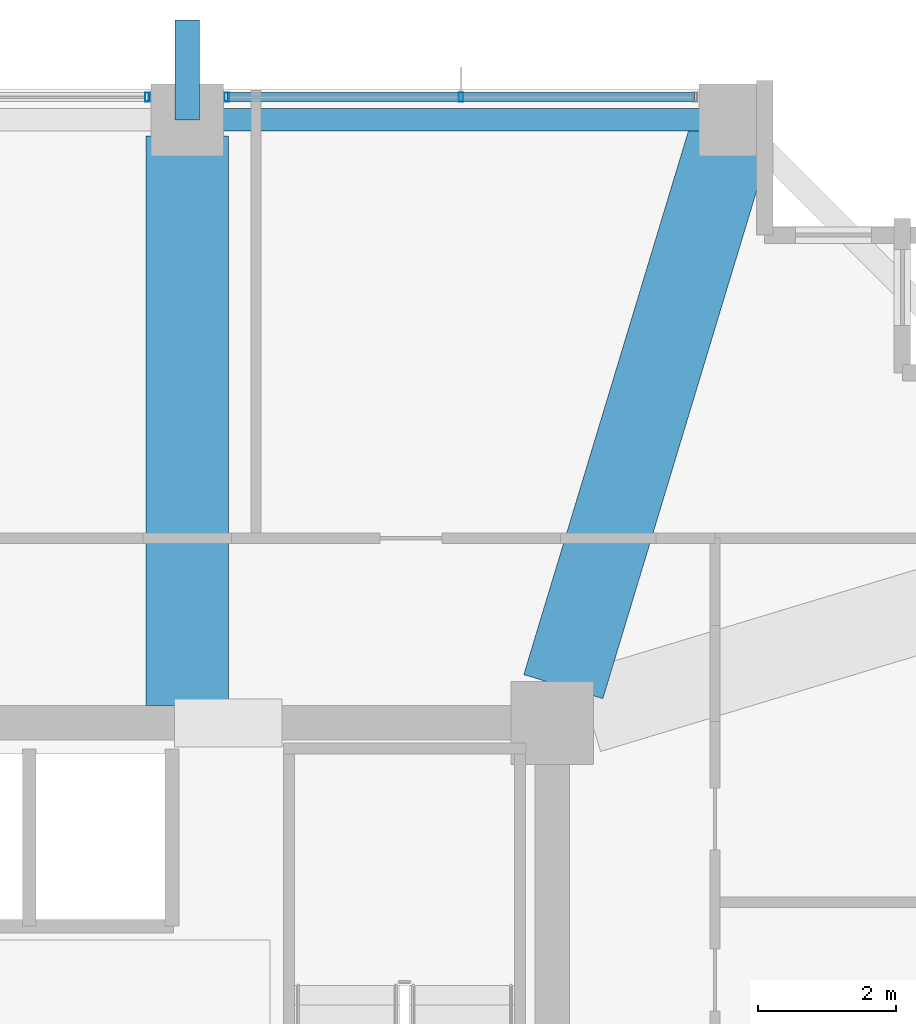
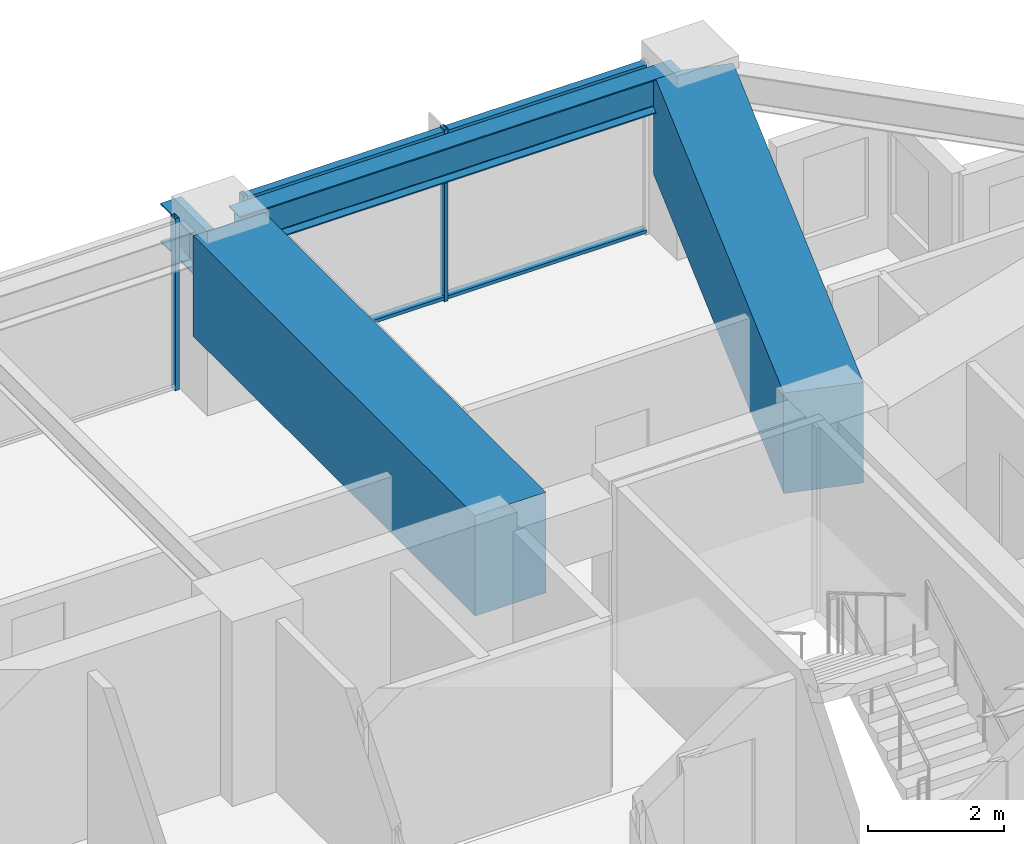
# One storey, part 23 of 36: 5 members, 4 beams, 2 elements without a shape of their own.
"""IFC4 building model written with IfcOpenShell, lengths in metres."""

from ifc_helpers import new_model, si_unit, direction, frame, origin, origin_2d, place, context, subcontext, project, spatial, rectangle, hollow_rectangle, i_section, extrude, material, material_profile, profile_set, type_object, element, aggregate, save


model = new_model("IFC4")

# Units and contexts
model_context = context("Model", 3, precision=1e-05, world=origin(), true_north=direction((0.0, 1.0)))
body_context = subcontext(model_context, "Body", "Model", "MODEL_VIEW")
ifc_project = project(units=[si_unit("LENGTHUNIT", "METRE"), si_unit("AREAUNIT", "SQUARE_METRE"), si_unit("VOLUMEUNIT", "CUBIC_METRE"), si_unit("PLANEANGLEUNIT", "RADIAN"), si_unit("MASSUNIT", "GRAM", prefix="KILO")], contexts=[model_context])

# Site, building, storey
site_placement = place(None, origin())
site = spatial("IfcSite", under=ifc_project, at=site_placement, CompositionType="ELEMENT")
building_placement = place(site_placement, origin())
building = spatial("IfcBuilding", under=site, at=building_placement, Name="Kolvaren Belvedere", CompositionType="ELEMENT")
storey_placement = place(building_placement, frame((0.0, 0.0, 108.5)))
storey = spatial("IfcBuildingStorey", under=building, at=storey_placement, Name="L31", CompositionType="ELEMENT", Elevation=108.5)

# Beams
ifc_material_1 = material(Name="Structural steel ASTM A992 Grade 50", Category="steel")
ifc_material_profile_1 = material_profile(ifc_material_1, i_section(OverallWidth=0.35498046875, OverallDepth=0.696044921875, WebThickness=0.015380859375, FlangeThickness=0.02490234375, FilletRadius=0.02197265625, at=origin_2d()), Name="W27X146")
ifc_profile_set_1 = profile_set([ifc_material_profile_1], Name="Structural steel ASTM A992 Grade 50")
beam_type_1 = type_object("IfcBeamType", Name="BM-CANT-BAL", PredefinedType="BEAM", material=ifc_profile_set_1)
beam_1_placement = place(storey_placement, frame((4.60009765625, 18.64990234375, 2.14208984375), z_axis=(0.0, 1.0, 0.0), x_axis=(-1.0, 0.0, 0.0)))
element("IfcBeam", 1, at=beam_1_placement, inside=storey, type_object=beam_type_1, Name="L31 North Picture-Frame Column Corbel P", PredefinedType="BEAM", context=body_context, shape_type="SweptSolid", body=[
    extrude(i_section(OverallWidth=0.35498046875, OverallDepth=0.696044921875, WebThickness=0.015380859375, FlangeThickness=0.02490234375, FilletRadius=0.02197265625, at=origin_2d()), origin(), (0.0, 0.0, 1.0), 1.4501953125),
])
ifc_material_2 = material(Name="Structural steel ASTM A992 Grade 50", Category="steel")
ifc_material_profile_2 = material_profile(ifc_material_2, i_section(OverallWidth=0.324951171875, OverallDepth=0.615966796875, WebThickness=0.013916015625, FlangeThickness=0.021484375, FilletRadius=0.02001953125, at=origin_2d()), Name="W24X117")
ifc_profile_set_2 = profile_set([ifc_material_profile_2], Name="Structural steel ASTM A992 Grade 50")
beam_type_2 = type_object("IfcBeamType", Name="BM-SPAN-W24X117", PredefinedType="SPANDREL", material=ifc_profile_set_2)
beam_2_placement = place(storey_placement, frame((12.313720703125, 18.64990234375, 2.77197265625), z_axis=(-1.0, 0.0, 0.0), x_axis=(0.0, -1.0, 0.0)))
element("IfcBeam", 2, at=beam_2_placement, inside=storey, type_object=beam_type_2, Name="L31 Perimeter Spandrel N4-N3", PredefinedType="SPANDREL", context=body_context, shape_type="SweptSolid", body=[
    extrude(i_section(OverallWidth=0.324951171875, OverallDepth=0.615966796875, WebThickness=0.013916015625, FlangeThickness=0.021484375, FilletRadius=0.02001953125, at=origin_2d()), origin(), (0.0, 0.0, 1.0), 7.4775390625),
])
ifc_material_3 = material(Name="Concrete C50/60", Category="concrete")
ifc_material_profile_3 = material_profile(ifc_material_3, rectangle(XDim=1.199951171875, YDim=1.800048828125, at=origin_2d()), Name="RC 1200X1800")
ifc_profile_set_3 = profile_set([ifc_material_profile_3], Name="Concrete C50/60")
beam_type_3 = type_object("IfcBeamType", Name="BM-TG-1800", PredefinedType="BEAM", material=ifc_profile_set_3)
beam_3_placement = place(storey_placement, frame((4.60009765625, 10.14990234375, 2.179931640625), z_axis=(0.0, 1.0, 0.0), x_axis=(-1.0, 0.0, 0.0)))
element("IfcBeam", 3, at=beam_3_placement, inside=storey, type_object=beam_type_3, Name="L31 North Radial Girder P", PredefinedType="BEAM", context=body_context, shape_type="SweptSolid", body=[
    extrude(rectangle(XDim=1.199951171875, YDim=1.800048828125, at=origin_2d()), origin(), (0.0, 0.0, 1.0), 8.263916015625),
])
beam_4_placement = place(storey_placement, frame((10.059326171875, 10.426513671875, 2.179931640625), z_axis=(0.289858652454, 0.957069465398, 0.0), x_axis=(-0.957069465398, 0.289858652454, 0.0)))
element("IfcBeam", 4, at=beam_4_placement, inside=storey, type_object=beam_type_3, Name="L31 Corner Core-to-Perimeter Girder CC3-N4", PredefinedType="BEAM", context=body_context, shape_type="SweptSolid", body=[
    extrude(rectangle(XDim=1.199951171875, YDim=1.800048828125, at=origin_2d()), origin(), (0.0, 0.0, 1.0), 8.38232421875),
])

# Curtain wall, member
ifc_material_4 = material(Name="Anodised pale-metal aluminium AA 6063-T6", Category="aluminium")
curtain_wall_type = type_object("IfcCurtainWallType", Name="CW-Z3-WAIST", PredefinedType="NOTDEFINED", material=ifc_material_4)
curtain_wall_1_placement = place(storey_placement, origin())
curtain_wall_1 = element("IfcCurtainWall", 5, at=curtain_wall_1_placement, inside=storey, type_object=curtain_wall_type, Name="L31 Unitised Curtain Wall FCW-L31-N-B2", PredefinedType="NOTDEFINED")
ifc_material_5 = material(Name="Anodised pale-metal aluminium AA 6063-T6", Category="aluminium")
ifc_material_profile_4 = material_profile(ifc_material_5, hollow_rectangle(XDim=0.06494140625, YDim=0.1298828125, WallThickness=0.00390625, at=origin_2d()), Name="ALU-MUL-130X65")
ifc_profile_set_4 = profile_set([ifc_material_profile_4], Name="Anodised pale-metal aluminium AA 6063-T6")
member_type_1 = type_object("IfcMemberType", Name="CW-MUL-130", PredefinedType="MULLION", material=ifc_profile_set_4)
member_1_placement = place(storey_placement, frame((4.0224609375, 18.97998046875, 0.0), z_axis=(0.0, 0.0, 1.0), x_axis=(1.0, 0.0, 0.0)))
member_1 = element("IfcMember", 6, at=member_1_placement, type_object=member_type_1, Name="FCW-L31-N-B2 Unitised Mullion 3", PredefinedType="MULLION", context=body_context, shape_type="SweptSolid", body=[
    extrude(hollow_rectangle(XDim=0.06494140625, YDim=0.1298828125, WallThickness=0.00390625, at=origin_2d()), origin(), (0.0, 0.0, 1.0), 3.080078125),
])
aggregate(curtain_wall_1, [member_1])

# Curtain wall, members
curtain_wall_2_placement = place(storey_placement, origin())
curtain_wall_2 = element("IfcCurtainWall", 7, at=curtain_wall_2_placement, inside=storey, type_object=curtain_wall_type, Name="L31 Unitised Curtain Wall FCW-L31-N-B3", PredefinedType="NOTDEFINED")
member_2_placement = place(storey_placement, frame((5.177490234375, 18.97998046875, 0.0), z_axis=(0.0, 0.0, 1.0), x_axis=(1.0, 0.0, 0.0)))
member_2 = element("IfcMember", 8, at=member_2_placement, type_object=member_type_1, Name="FCW-L31-N-B3 Unitised Mullion 1", PredefinedType="MULLION", context=body_context, shape_type="SweptSolid", body=[
    extrude(hollow_rectangle(XDim=0.06494140625, YDim=0.1298828125, WallThickness=0.00390625, at=origin_2d()), origin(), (0.0, 0.0, 1.0), 3.080078125),
])
member_3_placement = place(storey_placement, frame((8.574951171875, 18.97998046875, 0.0), z_axis=(0.0, 0.0, 1.0), x_axis=(1.0, 0.0, 0.0)))
member_3 = element("IfcMember", 9, at=member_3_placement, type_object=member_type_1, Name="FCW-L31-N-B3 Unitised Mullion 2", PredefinedType="MULLION", context=body_context, shape_type="SweptSolid", body=[
    extrude(hollow_rectangle(XDim=0.06494140625, YDim=0.1298828125, WallThickness=0.00390625, at=origin_2d()), origin(), (0.0, 0.0, 1.0), 3.080078125),
])
ifc_material_6 = material(Name="Anodised pale-metal aluminium AA 6063-T6", Category="aluminium")
ifc_material_profile_5 = material_profile(ifc_material_6, hollow_rectangle(XDim=0.06005859375, YDim=0.1298828125, WallThickness=0.00390625, at=origin_2d()), Name="ALU-TRN-130X60")
ifc_profile_set_5 = profile_set([ifc_material_profile_5], Name="Anodised pale-metal aluminium AA 6063-T6")
member_type_2 = type_object("IfcMemberType", Name="CW-TRN-130", PredefinedType="USERDEFINED", material=ifc_profile_set_5)
member_4_placement = place(storey_placement, frame((5.177490234375, 18.97998046875, 0.06005859375), z_axis=(1.0, 0.0, 0.0), x_axis=(0.0, 0.0, 1.0)))
member_4 = element("IfcMember", 10, at=member_4_placement, type_object=member_type_2, Name="FCW-L31-N-B3 Sill Transom", ObjectType="TRANSOM", PredefinedType="USERDEFINED", context=body_context, shape_type="SweptSolid", body=[
    extrude(hollow_rectangle(XDim=0.06005859375, YDim=0.1298828125, WallThickness=0.00390625, at=origin_2d()), origin(), (0.0, 0.0, 1.0), 6.794921875),
])
member_5_placement = place(storey_placement, frame((5.177490234375, 18.97998046875, 3.02001953125), z_axis=(1.0, 0.0, 0.0), x_axis=(0.0, 0.0, 1.0)))
member_5 = element("IfcMember", 11, at=member_5_placement, type_object=member_type_2, Name="FCW-L31-N-B3 Head Transom", ObjectType="TRANSOM", PredefinedType="USERDEFINED", context=body_context, shape_type="SweptSolid", body=[
    extrude(hollow_rectangle(XDim=0.06005859375, YDim=0.1298828125, WallThickness=0.00390625, at=origin_2d()), origin(), (0.0, 0.0, 1.0), 6.794921875),
])
aggregate(curtain_wall_2, [member_2, member_3, member_4, member_5])

save(model, "model.ifc")
